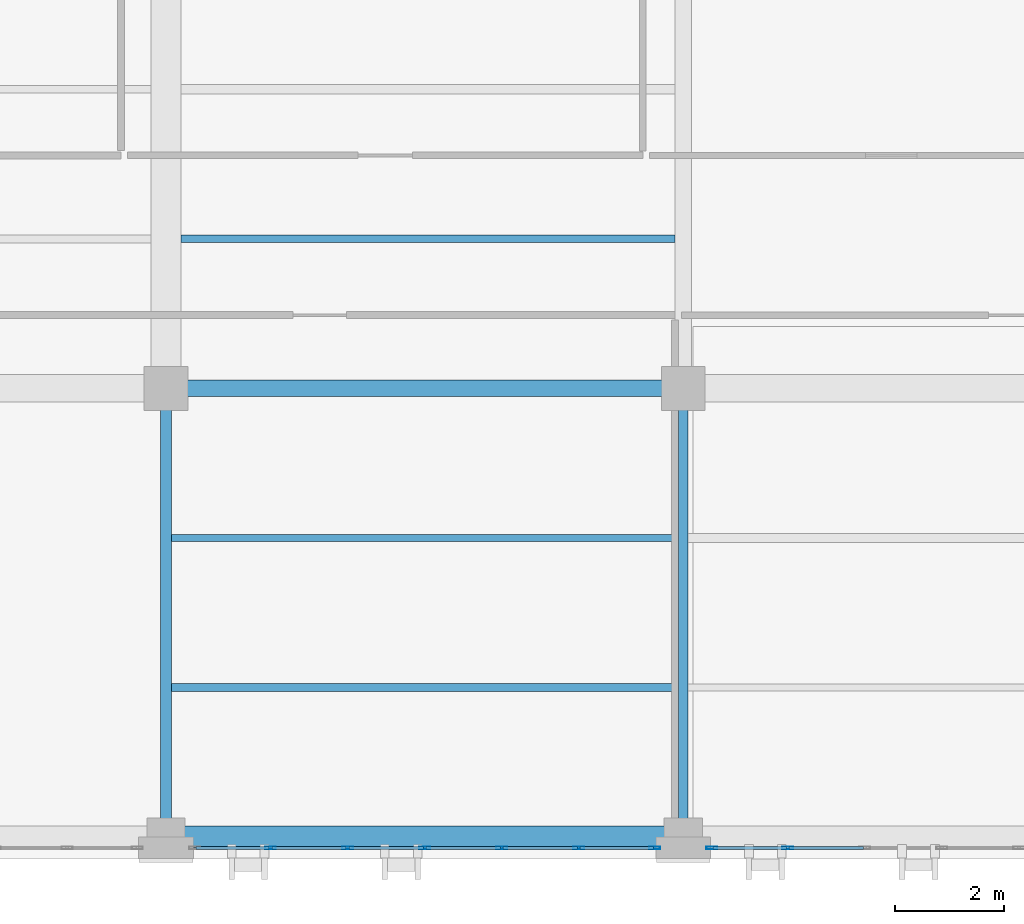
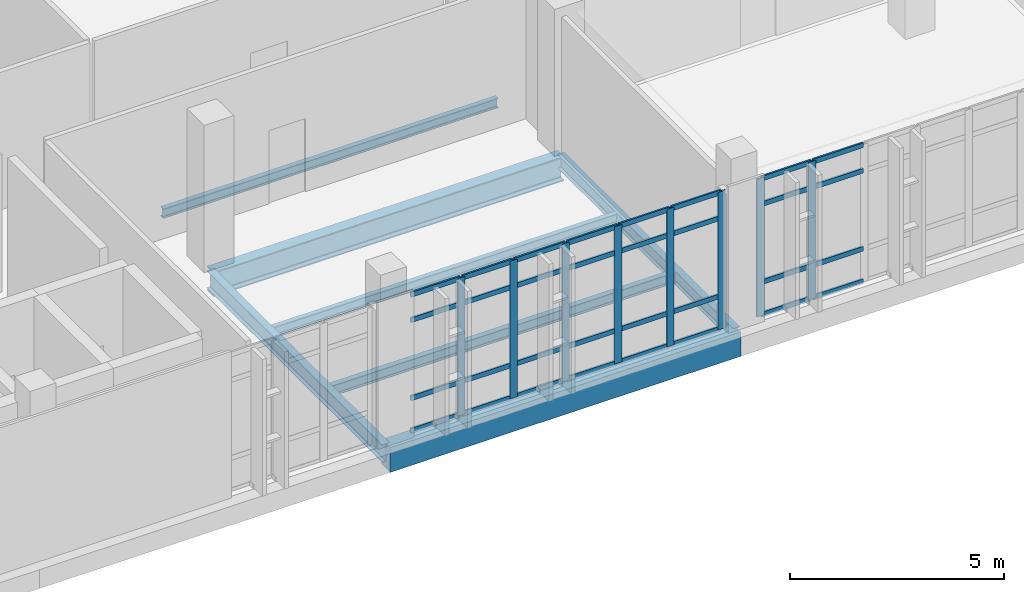
# One storey, part 20 of 158: 40 members, 7 beams, 2 elements without a shape of their own.
"""IFC4 building model written with IfcOpenShell, lengths in metres."""

from ifc_helpers import new_model, si_unit, direction, frame, origin, origin_2d, place, context, subcontext, project, spatial, rectangle, hollow_rectangle, i_section, extrude, material, layer, layer_set, material_profile, profile_set, type_object, element, aggregate, save


model = new_model("IFC4")

# Units and contexts
model_context = context("Model", 3, precision=1e-05, world=origin(), true_north=direction((0.0, 1.0)))
body_context = subcontext(model_context, "Body", "Model", "MODEL_VIEW")
ifc_project = project(units=[si_unit("LENGTHUNIT", "METRE"), si_unit("AREAUNIT", "SQUARE_METRE"), si_unit("VOLUMEUNIT", "CUBIC_METRE"), si_unit("PLANEANGLEUNIT", "RADIAN"), si_unit("MASSUNIT", "GRAM", prefix="KILO")], contexts=[model_context])

# Site, building, storey
site_placement = place(None, origin())
site = spatial("IfcSite", under=ifc_project, at=site_placement, CompositionType="ELEMENT")
building_placement = place(site_placement, origin())
building = spatial("IfcBuilding", under=site, at=building_placement, Name="Qalavern Law Courts", CompositionType="ELEMENT")
storey_placement = place(building_placement, frame((0.0, 0.0, 18.60009765625)))
storey = spatial("IfcBuildingStorey", under=building, at=storey_placement, Name="L04", CompositionType="ELEMENT", Elevation=18.60009765625)

# Curtain wall, members
ifc_material_1 = material(Name="Anodised aluminium and insulated glazing", Category="aluminium")
ifc_layer = layer(ifc_material_1, 0.18505859375)
ifc_layer_set = layer_set([ifc_layer], Name="Anodised aluminium and insulated glazing")
curtain_wall_type = type_object("IfcCurtainWallType", Name="ENV-CW-HALL", PredefinedType="USERDEFINED", material=ifc_layer_set)
curtain_wall_1_placement = place(storey_placement, origin())
curtain_wall_1 = element("IfcCurtainWall", 1, at=curtain_wall_1_placement, inside=storey, type_object=curtain_wall_type, Name="V2 unitised curtain wall L04 south 2", ObjectType="UNITISED CURTAIN WALL", PredefinedType="USERDEFINED")
ifc_material_2 = material(Name="Anodised aluminium", Category="aluminium")
ifc_material_profile_1 = material_profile(ifc_material_2, hollow_rectangle(XDim=0.048095703125, YDim=0.199951171875, WallThickness=0.00439453125, at=origin_2d()), Name="ALU MULLION 48x200")
ifc_profile_set_1 = profile_set([ifc_material_profile_1], Name="Anodised aluminium")
member_type_1 = type_object("IfcMemberType", Name="ENV-CWM-48x200", PredefinedType="MULLION", material=ifc_profile_set_1)
member_1_placement = place(storey_placement, frame((55.437744140625, 5.39990234375, 0.0), z_axis=(0.0, 0.0, 1.0), x_axis=(0.0, 1.0, 0.0)))
member_1 = element("IfcMember", 2, at=member_1_placement, type_object=member_type_1, Name="CW-02 mullion 2", PredefinedType="MULLION", context=body_context, shape_type="SweptSolid", body=[
    extrude(hollow_rectangle(XDim=0.048095703125, YDim=0.199951171875, WallThickness=0.00439453125, at=origin_2d()), origin(), (0.0, 0.0, 1.0), 3.9248046875),
])
member_2_placement = place(storey_placement, frame((56.8466796875, 5.39990234375, 0.0), z_axis=(0.0, 0.0, 1.0), x_axis=(0.0, 1.0, 0.0)))
member_2 = element("IfcMember", 3, at=member_2_placement, type_object=member_type_1, Name="CW-02 mullion 3", PredefinedType="MULLION", context=body_context, shape_type="SweptSolid", body=[
    extrude(hollow_rectangle(XDim=0.048095703125, YDim=0.199951171875, WallThickness=0.00439453125, at=origin_2d()), origin(), (0.0, 0.0, 1.0), 3.9248046875),
])
member_3_placement = place(storey_placement, frame((58.255859375, 5.39990234375, 0.0), z_axis=(0.0, 0.0, 1.0), x_axis=(0.0, 1.0, 0.0)))
member_3 = element("IfcMember", 4, at=member_3_placement, type_object=member_type_1, Name="CW-02 mullion 4", PredefinedType="MULLION", context=body_context, shape_type="SweptSolid", body=[
    extrude(hollow_rectangle(XDim=0.048095703125, YDim=0.199951171875, WallThickness=0.00439453125, at=origin_2d()), origin(), (0.0, 0.0, 1.0), 3.9248046875),
])
member_4_placement = place(storey_placement, frame((59.664794921875, 5.39990234375, 0.0), z_axis=(0.0, 0.0, 1.0), x_axis=(0.0, 1.0, 0.0)))
member_4 = element("IfcMember", 5, at=member_4_placement, type_object=member_type_1, Name="CW-02 mullion 5", PredefinedType="MULLION", context=body_context, shape_type="SweptSolid", body=[
    extrude(hollow_rectangle(XDim=0.048095703125, YDim=0.199951171875, WallThickness=0.00439453125, at=origin_2d()), origin(), (0.0, 0.0, 1.0), 3.9248046875),
])
member_5_placement = place(storey_placement, frame((61.07373046875, 5.39990234375, 0.0), z_axis=(0.0, 0.0, 1.0), x_axis=(0.0, 1.0, 0.0)))
member_5 = element("IfcMember", 6, at=member_5_placement, type_object=member_type_1, Name="CW-02 mullion 6", PredefinedType="MULLION", context=body_context, shape_type="SweptSolid", body=[
    extrude(hollow_rectangle(XDim=0.048095703125, YDim=0.199951171875, WallThickness=0.00439453125, at=origin_2d()), origin(), (0.0, 0.0, 1.0), 3.9248046875),
])
member_6_placement = place(storey_placement, frame((62.458984375, 5.39990234375, 0.0), z_axis=(0.0, 0.0, 1.0), x_axis=(0.0, 1.0, 0.0)))
member_6 = element("IfcMember", 7, at=member_6_placement, type_object=member_type_1, Name="CW-02 mullion 7", PredefinedType="MULLION", context=body_context, shape_type="SweptSolid", body=[
    extrude(hollow_rectangle(XDim=0.048095703125, YDim=0.199951171875, WallThickness=0.00439453125, at=origin_2d()), origin(), (0.0, 0.0, 1.0), 3.9248046875),
])

curtain_wall_2_placement = place(storey_placement, origin())
curtain_wall_2 = element("IfcCurtainWall", 8, at=curtain_wall_2_placement, inside=storey, type_object=curtain_wall_type, Name="V2 unitised curtain wall L04 south 3", ObjectType="UNITISED CURTAIN WALL", PredefinedType="USERDEFINED")
member_7_placement = place(storey_placement, frame((63.5068359375, 5.39990234375, 0.0), z_axis=(0.0, 0.0, 1.0), x_axis=(0.0, 1.0, 0.0)))
member_7 = element("IfcMember", 9, at=member_7_placement, type_object=member_type_1, Name="CW-02 mullion 1", PredefinedType="MULLION", context=body_context, shape_type="SweptSolid", body=[
    extrude(hollow_rectangle(XDim=0.048095703125, YDim=0.199951171875, WallThickness=0.00439453125, at=origin_2d()), origin(), (0.0, 0.0, 1.0), 3.9248046875),
])
member_8_placement = place(storey_placement, frame((64.891845703125, 5.39990234375, 0.0), z_axis=(0.0, 0.0, 1.0), x_axis=(0.0, 1.0, 0.0)))
member_8 = element("IfcMember", 10, at=member_8_placement, type_object=member_type_1, Name="CW-02 mullion 2", PredefinedType="MULLION", context=body_context, shape_type="SweptSolid", body=[
    extrude(hollow_rectangle(XDim=0.048095703125, YDim=0.199951171875, WallThickness=0.00439453125, at=origin_2d()), origin(), (0.0, 0.0, 1.0), 3.9248046875),
])

# Member
ifc_material_profile_2 = material_profile(ifc_material_2, hollow_rectangle(XDim=0.048095703125, YDim=0.139892578125, WallThickness=0.00390625, at=origin_2d()), Name="ALU TRANSOM 48x140")
ifc_profile_set_2 = profile_set([ifc_material_profile_2], Name="Anodised aluminium")
member_type_2 = type_object("IfcMemberType", Name="ENV-CWT-48x140", PredefinedType="USERDEFINED", material=ifc_profile_set_2)
member_9_placement = place(storey_placement, frame((54.07666015625, 5.39990234375, 0.02392578125), z_axis=(1.0, 0.0, 0.0), x_axis=(0.0, 1.0, 0.0)))
member_9 = element("IfcMember", 11, at=member_9_placement, type_object=member_type_2, Name="CW-02 transom 1.1", ObjectType="TRANSOM", PredefinedType="USERDEFINED", context=body_context, shape_type="SweptSolid", body=[
    extrude(hollow_rectangle(XDim=0.048095703125, YDim=0.139892578125, WallThickness=0.00390625, at=origin_2d()), origin(), (0.0, 0.0, 1.0), 1.3369140625),
])

member_10_placement = place(storey_placement, frame((54.07666015625, 5.39990234375, 0.949951171875), z_axis=(1.0, 0.0, 0.0), x_axis=(0.0, 1.0, 0.0)))
member_10 = element("IfcMember", 12, at=member_10_placement, type_object=member_type_2, Name="CW-02 transom 1.2", ObjectType="TRANSOM", PredefinedType="USERDEFINED", context=body_context, shape_type="SweptSolid", body=[
    extrude(hollow_rectangle(XDim=0.048095703125, YDim=0.139892578125, WallThickness=0.00390625, at=origin_2d()), origin(), (0.0, 0.0, 1.0), 1.3369140625),
])

member_11_placement = place(storey_placement, frame((54.07666015625, 5.39990234375, 3.1748046875), z_axis=(1.0, 0.0, 0.0), x_axis=(0.0, 1.0, 0.0)))
member_11 = element("IfcMember", 13, at=member_11_placement, type_object=member_type_2, Name="CW-02 transom 1.3", ObjectType="TRANSOM", PredefinedType="USERDEFINED", context=body_context, shape_type="SweptSolid", body=[
    extrude(hollow_rectangle(XDim=0.048095703125, YDim=0.139892578125, WallThickness=0.00390625, at=origin_2d()), origin(), (0.0, 0.0, 1.0), 1.3369140625),
])

member_12_placement = place(storey_placement, frame((54.07666015625, 5.39990234375, 3.90087890625), z_axis=(1.0, 0.0, 0.0), x_axis=(0.0, 1.0, 0.0)))
member_12 = element("IfcMember", 14, at=member_12_placement, type_object=member_type_2, Name="CW-02 transom 1.4", ObjectType="TRANSOM", PredefinedType="USERDEFINED", context=body_context, shape_type="SweptSolid", body=[
    extrude(hollow_rectangle(XDim=0.048095703125, YDim=0.139892578125, WallThickness=0.00390625, at=origin_2d()), origin(), (0.0, 0.0, 1.0), 1.3369140625),
])

member_13_placement = place(storey_placement, frame((55.461669921875, 5.39990234375, 0.02392578125), z_axis=(1.0, 0.0, 0.0), x_axis=(0.0, 1.0, 0.0)))
member_13 = element("IfcMember", 15, at=member_13_placement, type_object=member_type_2, Name="CW-02 transom 2.1", ObjectType="TRANSOM", PredefinedType="USERDEFINED", context=body_context, shape_type="SweptSolid", body=[
    extrude(hollow_rectangle(XDim=0.048095703125, YDim=0.139892578125, WallThickness=0.00390625, at=origin_2d()), origin(), (0.0, 0.0, 1.0), 1.361083984375),
])

member_14_placement = place(storey_placement, frame((55.461669921875, 5.39990234375, 0.949951171875), z_axis=(1.0, 0.0, 0.0), x_axis=(0.0, 1.0, 0.0)))
member_14 = element("IfcMember", 16, at=member_14_placement, type_object=member_type_2, Name="CW-02 transom 2.2", ObjectType="TRANSOM", PredefinedType="USERDEFINED", context=body_context, shape_type="SweptSolid", body=[
    extrude(hollow_rectangle(XDim=0.048095703125, YDim=0.139892578125, WallThickness=0.00390625, at=origin_2d()), origin(), (0.0, 0.0, 1.0), 1.361083984375),
])

member_15_placement = place(storey_placement, frame((55.461669921875, 5.39990234375, 3.1748046875), z_axis=(1.0, 0.0, 0.0), x_axis=(0.0, 1.0, 0.0)))
member_15 = element("IfcMember", 17, at=member_15_placement, type_object=member_type_2, Name="CW-02 transom 2.3", ObjectType="TRANSOM", PredefinedType="USERDEFINED", context=body_context, shape_type="SweptSolid", body=[
    extrude(hollow_rectangle(XDim=0.048095703125, YDim=0.139892578125, WallThickness=0.00390625, at=origin_2d()), origin(), (0.0, 0.0, 1.0), 1.361083984375),
])

member_16_placement = place(storey_placement, frame((55.461669921875, 5.39990234375, 3.90087890625), z_axis=(1.0, 0.0, 0.0), x_axis=(0.0, 1.0, 0.0)))
member_16 = element("IfcMember", 18, at=member_16_placement, type_object=member_type_2, Name="CW-02 transom 2.4", ObjectType="TRANSOM", PredefinedType="USERDEFINED", context=body_context, shape_type="SweptSolid", body=[
    extrude(hollow_rectangle(XDim=0.048095703125, YDim=0.139892578125, WallThickness=0.00390625, at=origin_2d()), origin(), (0.0, 0.0, 1.0), 1.361083984375),
])

member_17_placement = place(storey_placement, frame((56.87060546875, 5.39990234375, 0.02392578125), z_axis=(1.0, 0.0, 0.0), x_axis=(0.0, 1.0, 0.0)))
member_17 = element("IfcMember", 19, at=member_17_placement, type_object=member_type_2, Name="CW-02 transom 3.1", ObjectType="TRANSOM", PredefinedType="USERDEFINED", context=body_context, shape_type="SweptSolid", body=[
    extrude(hollow_rectangle(XDim=0.048095703125, YDim=0.139892578125, WallThickness=0.00390625, at=origin_2d()), origin(), (0.0, 0.0, 1.0), 1.361083984375),
])

member_18_placement = place(storey_placement, frame((56.87060546875, 5.39990234375, 0.949951171875), z_axis=(1.0, 0.0, 0.0), x_axis=(0.0, 1.0, 0.0)))
member_18 = element("IfcMember", 20, at=member_18_placement, type_object=member_type_2, Name="CW-02 transom 3.2", ObjectType="TRANSOM", PredefinedType="USERDEFINED", context=body_context, shape_type="SweptSolid", body=[
    extrude(hollow_rectangle(XDim=0.048095703125, YDim=0.139892578125, WallThickness=0.00390625, at=origin_2d()), origin(), (0.0, 0.0, 1.0), 1.361083984375),
])

member_19_placement = place(storey_placement, frame((56.87060546875, 5.39990234375, 3.1748046875), z_axis=(1.0, 0.0, 0.0), x_axis=(0.0, 1.0, 0.0)))
member_19 = element("IfcMember", 21, at=member_19_placement, type_object=member_type_2, Name="CW-02 transom 3.3", ObjectType="TRANSOM", PredefinedType="USERDEFINED", context=body_context, shape_type="SweptSolid", body=[
    extrude(hollow_rectangle(XDim=0.048095703125, YDim=0.139892578125, WallThickness=0.00390625, at=origin_2d()), origin(), (0.0, 0.0, 1.0), 1.361083984375),
])

member_20_placement = place(storey_placement, frame((56.87060546875, 5.39990234375, 3.90087890625), z_axis=(1.0, 0.0, 0.0), x_axis=(0.0, 1.0, 0.0)))
member_20 = element("IfcMember", 22, at=member_20_placement, type_object=member_type_2, Name="CW-02 transom 3.4", ObjectType="TRANSOM", PredefinedType="USERDEFINED", context=body_context, shape_type="SweptSolid", body=[
    extrude(hollow_rectangle(XDim=0.048095703125, YDim=0.139892578125, WallThickness=0.00390625, at=origin_2d()), origin(), (0.0, 0.0, 1.0), 1.361083984375),
])

member_21_placement = place(storey_placement, frame((58.27978515625, 5.39990234375, 0.02392578125), z_axis=(1.0, 0.0, 0.0), x_axis=(0.0, 1.0, 0.0)))
member_21 = element("IfcMember", 23, at=member_21_placement, type_object=member_type_2, Name="CW-02 transom 4.1", ObjectType="TRANSOM", PredefinedType="USERDEFINED", context=body_context, shape_type="SweptSolid", body=[
    extrude(hollow_rectangle(XDim=0.048095703125, YDim=0.139892578125, WallThickness=0.00390625, at=origin_2d()), origin(), (0.0, 0.0, 1.0), 1.361083984375),
])

member_22_placement = place(storey_placement, frame((58.27978515625, 5.39990234375, 0.949951171875), z_axis=(1.0, 0.0, 0.0), x_axis=(0.0, 1.0, 0.0)))
member_22 = element("IfcMember", 24, at=member_22_placement, type_object=member_type_2, Name="CW-02 transom 4.2", ObjectType="TRANSOM", PredefinedType="USERDEFINED", context=body_context, shape_type="SweptSolid", body=[
    extrude(hollow_rectangle(XDim=0.048095703125, YDim=0.139892578125, WallThickness=0.00390625, at=origin_2d()), origin(), (0.0, 0.0, 1.0), 1.361083984375),
])

member_23_placement = place(storey_placement, frame((58.27978515625, 5.39990234375, 3.1748046875), z_axis=(1.0, 0.0, 0.0), x_axis=(0.0, 1.0, 0.0)))
member_23 = element("IfcMember", 25, at=member_23_placement, type_object=member_type_2, Name="CW-02 transom 4.3", ObjectType="TRANSOM", PredefinedType="USERDEFINED", context=body_context, shape_type="SweptSolid", body=[
    extrude(hollow_rectangle(XDim=0.048095703125, YDim=0.139892578125, WallThickness=0.00390625, at=origin_2d()), origin(), (0.0, 0.0, 1.0), 1.361083984375),
])

member_24_placement = place(storey_placement, frame((58.27978515625, 5.39990234375, 3.90087890625), z_axis=(1.0, 0.0, 0.0), x_axis=(0.0, 1.0, 0.0)))
member_24 = element("IfcMember", 26, at=member_24_placement, type_object=member_type_2, Name="CW-02 transom 4.4", ObjectType="TRANSOM", PredefinedType="USERDEFINED", context=body_context, shape_type="SweptSolid", body=[
    extrude(hollow_rectangle(XDim=0.048095703125, YDim=0.139892578125, WallThickness=0.00390625, at=origin_2d()), origin(), (0.0, 0.0, 1.0), 1.361083984375),
])

member_25_placement = place(storey_placement, frame((59.688720703125, 5.39990234375, 0.02392578125), z_axis=(1.0, 0.0, 0.0), x_axis=(0.0, 1.0, 0.0)))
member_25 = element("IfcMember", 27, at=member_25_placement, type_object=member_type_2, Name="CW-02 transom 5.1", ObjectType="TRANSOM", PredefinedType="USERDEFINED", context=body_context, shape_type="SweptSolid", body=[
    extrude(hollow_rectangle(XDim=0.048095703125, YDim=0.139892578125, WallThickness=0.00390625, at=origin_2d()), origin(), (0.0, 0.0, 1.0), 1.361083984375),
])

member_26_placement = place(storey_placement, frame((59.688720703125, 5.39990234375, 0.949951171875), z_axis=(1.0, 0.0, 0.0), x_axis=(0.0, 1.0, 0.0)))
member_26 = element("IfcMember", 28, at=member_26_placement, type_object=member_type_2, Name="CW-02 transom 5.2", ObjectType="TRANSOM", PredefinedType="USERDEFINED", context=body_context, shape_type="SweptSolid", body=[
    extrude(hollow_rectangle(XDim=0.048095703125, YDim=0.139892578125, WallThickness=0.00390625, at=origin_2d()), origin(), (0.0, 0.0, 1.0), 1.361083984375),
])

member_27_placement = place(storey_placement, frame((59.688720703125, 5.39990234375, 3.1748046875), z_axis=(1.0, 0.0, 0.0), x_axis=(0.0, 1.0, 0.0)))
member_27 = element("IfcMember", 29, at=member_27_placement, type_object=member_type_2, Name="CW-02 transom 5.3", ObjectType="TRANSOM", PredefinedType="USERDEFINED", context=body_context, shape_type="SweptSolid", body=[
    extrude(hollow_rectangle(XDim=0.048095703125, YDim=0.139892578125, WallThickness=0.00390625, at=origin_2d()), origin(), (0.0, 0.0, 1.0), 1.361083984375),
])

member_28_placement = place(storey_placement, frame((59.688720703125, 5.39990234375, 3.90087890625), z_axis=(1.0, 0.0, 0.0), x_axis=(0.0, 1.0, 0.0)))
member_28 = element("IfcMember", 30, at=member_28_placement, type_object=member_type_2, Name="CW-02 transom 5.4", ObjectType="TRANSOM", PredefinedType="USERDEFINED", context=body_context, shape_type="SweptSolid", body=[
    extrude(hollow_rectangle(XDim=0.048095703125, YDim=0.139892578125, WallThickness=0.00390625, at=origin_2d()), origin(), (0.0, 0.0, 1.0), 1.361083984375),
])

member_29_placement = place(storey_placement, frame((61.097900390625, 5.39990234375, 0.02392578125), z_axis=(1.0, 0.0, 0.0), x_axis=(0.0, 1.0, 0.0)))
member_29 = element("IfcMember", 31, at=member_29_placement, type_object=member_type_2, Name="CW-02 transom 6.1", ObjectType="TRANSOM", PredefinedType="USERDEFINED", context=body_context, shape_type="SweptSolid", body=[
    extrude(hollow_rectangle(XDim=0.048095703125, YDim=0.139892578125, WallThickness=0.00390625, at=origin_2d()), origin(), (0.0, 0.0, 1.0), 1.3369140625),
])

member_30_placement = place(storey_placement, frame((61.097900390625, 5.39990234375, 0.949951171875), z_axis=(1.0, 0.0, 0.0), x_axis=(0.0, 1.0, 0.0)))
member_30 = element("IfcMember", 32, at=member_30_placement, type_object=member_type_2, Name="CW-02 transom 6.2", ObjectType="TRANSOM", PredefinedType="USERDEFINED", context=body_context, shape_type="SweptSolid", body=[
    extrude(hollow_rectangle(XDim=0.048095703125, YDim=0.139892578125, WallThickness=0.00390625, at=origin_2d()), origin(), (0.0, 0.0, 1.0), 1.3369140625),
])

member_31_placement = place(storey_placement, frame((61.097900390625, 5.39990234375, 3.1748046875), z_axis=(1.0, 0.0, 0.0), x_axis=(0.0, 1.0, 0.0)))
member_31 = element("IfcMember", 33, at=member_31_placement, type_object=member_type_2, Name="CW-02 transom 6.3", ObjectType="TRANSOM", PredefinedType="USERDEFINED", context=body_context, shape_type="SweptSolid", body=[
    extrude(hollow_rectangle(XDim=0.048095703125, YDim=0.139892578125, WallThickness=0.00390625, at=origin_2d()), origin(), (0.0, 0.0, 1.0), 1.3369140625),
])

member_32_placement = place(storey_placement, frame((61.097900390625, 5.39990234375, 3.90087890625), z_axis=(1.0, 0.0, 0.0), x_axis=(0.0, 1.0, 0.0)))
member_32 = element("IfcMember", 34, at=member_32_placement, type_object=member_type_2, Name="CW-02 transom 6.4", ObjectType="TRANSOM", PredefinedType="USERDEFINED", context=body_context, shape_type="SweptSolid", body=[
    extrude(hollow_rectangle(XDim=0.048095703125, YDim=0.139892578125, WallThickness=0.00390625, at=origin_2d()), origin(), (0.0, 0.0, 1.0), 1.3369140625),
])

aggregate(curtain_wall_1, [member_1, member_2, member_3, member_4, member_5, member_6, member_9, member_10, member_11, member_12, member_13, member_14, member_15, member_16, member_17, member_18, member_19, member_20, member_21, member_22, member_23, member_24, member_25, member_26, member_27, member_28, member_29, member_30, member_31, member_32])

member_33_placement = place(storey_placement, frame((63.531005859375, 5.39990234375, 0.02392578125), z_axis=(1.0, 0.0, 0.0), x_axis=(0.0, 1.0, 0.0)))
member_33 = element("IfcMember", 35, at=member_33_placement, type_object=member_type_2, Name="CW-02 transom 1.1", ObjectType="TRANSOM", PredefinedType="USERDEFINED", context=body_context, shape_type="SweptSolid", body=[
    extrude(hollow_rectangle(XDim=0.048095703125, YDim=0.139892578125, WallThickness=0.00390625, at=origin_2d()), origin(), (0.0, 0.0, 1.0), 1.3369140625),
])

member_34_placement = place(storey_placement, frame((63.531005859375, 5.39990234375, 0.949951171875), z_axis=(1.0, 0.0, 0.0), x_axis=(0.0, 1.0, 0.0)))
member_34 = element("IfcMember", 36, at=member_34_placement, type_object=member_type_2, Name="CW-02 transom 1.2", ObjectType="TRANSOM", PredefinedType="USERDEFINED", context=body_context, shape_type="SweptSolid", body=[
    extrude(hollow_rectangle(XDim=0.048095703125, YDim=0.139892578125, WallThickness=0.00390625, at=origin_2d()), origin(), (0.0, 0.0, 1.0), 1.3369140625),
])

member_35_placement = place(storey_placement, frame((63.531005859375, 5.39990234375, 3.1748046875), z_axis=(1.0, 0.0, 0.0), x_axis=(0.0, 1.0, 0.0)))
member_35 = element("IfcMember", 37, at=member_35_placement, type_object=member_type_2, Name="CW-02 transom 1.3", ObjectType="TRANSOM", PredefinedType="USERDEFINED", context=body_context, shape_type="SweptSolid", body=[
    extrude(hollow_rectangle(XDim=0.048095703125, YDim=0.139892578125, WallThickness=0.00390625, at=origin_2d()), origin(), (0.0, 0.0, 1.0), 1.3369140625),
])

member_36_placement = place(storey_placement, frame((63.531005859375, 5.39990234375, 3.90087890625), z_axis=(1.0, 0.0, 0.0), x_axis=(0.0, 1.0, 0.0)))
member_36 = element("IfcMember", 38, at=member_36_placement, type_object=member_type_2, Name="CW-02 transom 1.4", ObjectType="TRANSOM", PredefinedType="USERDEFINED", context=body_context, shape_type="SweptSolid", body=[
    extrude(hollow_rectangle(XDim=0.048095703125, YDim=0.139892578125, WallThickness=0.00390625, at=origin_2d()), origin(), (0.0, 0.0, 1.0), 1.3369140625),
])

member_37_placement = place(storey_placement, frame((64.916015625, 5.39990234375, 0.02392578125), z_axis=(1.0, 0.0, 0.0), x_axis=(0.0, 1.0, 0.0)))
member_37 = element("IfcMember", 39, at=member_37_placement, type_object=member_type_2, Name="CW-02 transom 2.1", ObjectType="TRANSOM", PredefinedType="USERDEFINED", context=body_context, shape_type="SweptSolid", body=[
    extrude(hollow_rectangle(XDim=0.048095703125, YDim=0.139892578125, WallThickness=0.00390625, at=origin_2d()), origin(), (0.0, 0.0, 1.0), 1.36083984375),
])

member_38_placement = place(storey_placement, frame((64.916015625, 5.39990234375, 0.949951171875), z_axis=(1.0, 0.0, 0.0), x_axis=(0.0, 1.0, 0.0)))
member_38 = element("IfcMember", 40, at=member_38_placement, type_object=member_type_2, Name="CW-02 transom 2.2", ObjectType="TRANSOM", PredefinedType="USERDEFINED", context=body_context, shape_type="SweptSolid", body=[
    extrude(hollow_rectangle(XDim=0.048095703125, YDim=0.139892578125, WallThickness=0.00390625, at=origin_2d()), origin(), (0.0, 0.0, 1.0), 1.36083984375),
])

member_39_placement = place(storey_placement, frame((64.916015625, 5.39990234375, 3.1748046875), z_axis=(1.0, 0.0, 0.0), x_axis=(0.0, 1.0, 0.0)))
member_39 = element("IfcMember", 41, at=member_39_placement, type_object=member_type_2, Name="CW-02 transom 2.3", ObjectType="TRANSOM", PredefinedType="USERDEFINED", context=body_context, shape_type="SweptSolid", body=[
    extrude(hollow_rectangle(XDim=0.048095703125, YDim=0.139892578125, WallThickness=0.00390625, at=origin_2d()), origin(), (0.0, 0.0, 1.0), 1.36083984375),
])

member_40_placement = place(storey_placement, frame((64.916015625, 5.39990234375, 3.90087890625), z_axis=(1.0, 0.0, 0.0), x_axis=(0.0, 1.0, 0.0)))
member_40 = element("IfcMember", 42, at=member_40_placement, type_object=member_type_2, Name="CW-02 transom 2.4", ObjectType="TRANSOM", PredefinedType="USERDEFINED", context=body_context, shape_type="SweptSolid", body=[
    extrude(hollow_rectangle(XDim=0.048095703125, YDim=0.139892578125, WallThickness=0.00390625, at=origin_2d()), origin(), (0.0, 0.0, 1.0), 1.36083984375),
])

aggregate(curtain_wall_2, [member_7, member_8, member_33, member_34, member_35, member_36, member_37, member_38, member_39, member_40])

# Beams
ifc_material_3 = material(Name="Steel S355", Category="steel")
ifc_material_profile_3 = material_profile(ifc_material_3, i_section(OverallWidth=0.300048828125, OverallDepth=0.699951171875, WebThickness=0.01708984375, FlangeThickness=0.031982421875, FilletRadius=0.027099609375, at=origin_2d()), Name="HEB 700")
ifc_profile_set_3 = profile_set([ifc_material_profile_3], Name="Steel S355")
beam_type_1 = type_object("IfcBeamType", Name="STR-BM-HEB700", PredefinedType="BEAM", material=ifc_profile_set_3)
beam_1_placement = place(storey_placement, frame((53.528564453125, 13.800048828125, -0.630126953125), z_axis=(1.0, 0.0, 0.0), x_axis=(0.0, 1.0, 0.0)))
element("IfcBeam", 43, at=beam_1_placement, inside=storey, type_object=beam_type_1, Name="V2 X-beam 2-3 L04", PredefinedType="BEAM", context=body_context, shape_type="SweptSolid", body=[
    extrude(i_section(OverallWidth=0.300048828125, OverallDepth=0.699951171875, WebThickness=0.01708984375, FlangeThickness=0.031982421875, FilletRadius=0.027099609375, at=origin_2d()), origin(), (0.0, 0.0, 1.0), 9.454345703125),
])
ifc_material_profile_4 = material_profile(ifc_material_3, i_section(OverallWidth=0.179931640625, OverallDepth=0.39990234375, WebThickness=0.008544921875, FlangeThickness=0.013427734375, FilletRadius=0.02099609375, at=origin_2d()), Name="IPE 400")
ifc_profile_set_4 = profile_set([ifc_material_profile_4], Name="Steel S355")
beam_type_2 = type_object("IfcBeamType", Name="STR-BM-IPE400", PredefinedType="BEAM", material=ifc_profile_set_4)
beam_2_placement = place(storey_placement, frame((62.98291015625, 5.60009765625, -0.47998046875), z_axis=(0.0, 1.0, 0.0), x_axis=(-1.0, 0.0, 0.0)))
element("IfcBeam", 44, at=beam_2_placement, inside=storey, type_object=beam_type_2, Name="V2 Y-beam 4-1 L04", PredefinedType="BEAM", context=body_context, shape_type="SweptSolid", body=[
    extrude(i_section(OverallWidth=0.179931640625, OverallDepth=0.39990234375, WebThickness=0.008544921875, FlangeThickness=0.013427734375, FilletRadius=0.02099609375, at=origin_2d()), origin(), (0.0, 0.0, 1.0), 8.199951171875),
])
ifc_material_profile_5 = material_profile(ifc_material_3, i_section(OverallWidth=0.199951171875, OverallDepth=0.5, WebThickness=0.01025390625, FlangeThickness=0.01611328125, FilletRadius=0.02099609375, at=origin_2d()), Name="IPE 500")
ifc_profile_set_5 = profile_set([ifc_material_profile_5], Name="Steel S355")
beam_type_3 = type_object("IfcBeamType", Name="STR-BM-IPE500", PredefinedType="BEAM", material=ifc_profile_set_5)
beam_3_placement = place(storey_placement, frame((53.528564453125, 5.60009765625, -0.530029296875), z_axis=(0.0, 1.0, 0.0), x_axis=(-1.0, 0.0, 0.0)))
element("IfcBeam", 45, at=beam_3_placement, inside=storey, type_object=beam_type_3, Name="V2 Y-beam 3-1 L04", PredefinedType="BEAM", context=body_context, shape_type="SweptSolid", body=[
    extrude(i_section(OverallWidth=0.199951171875, OverallDepth=0.5, WebThickness=0.01025390625, FlangeThickness=0.01611328125, FilletRadius=0.02099609375, at=origin_2d()), origin(), (0.0, 0.0, 1.0), 8.199951171875),
])
ifc_material_profile_6 = material_profile(ifc_material_3, i_section(OverallWidth=0.135009765625, OverallDepth=0.27001953125, WebThickness=0.006591796875, FlangeThickness=0.01025390625, FilletRadius=0.014892578125, at=origin_2d()), Name="IPE 270")
ifc_profile_set_6 = profile_set([ifc_material_profile_6], Name="Steel S355")
beam_type_4 = type_object("IfcBeamType", Name="STR-JST-IPE270", PredefinedType="JOIST", material=ifc_profile_set_6)
beam_4_placement = place(storey_placement, frame((53.626708984375, 11.066650390625, -0.4150390625), z_axis=(1.0, 0.0, 0.0), x_axis=(0.0, 1.0, 0.0)))
element("IfcBeam", 46, at=beam_4_placement, inside=storey, type_object=beam_type_4, Name="V2 secondary joist 3.1.2 L04", PredefinedType="JOIST", context=body_context, shape_type="SweptSolid", body=[
    extrude(i_section(OverallWidth=0.135009765625, OverallDepth=0.27001953125, WebThickness=0.006591796875, FlangeThickness=0.01025390625, FilletRadius=0.014892578125, at=origin_2d()), origin(), (0.0, 0.0, 1.0), 9.268310546875),
])
beam_5_placement = place(storey_placement, frame((53.801513671875, 16.533203125, -0.4150390625), z_axis=(1.0, 0.0, 0.0), x_axis=(0.0, 1.0, 0.0)))
element("IfcBeam", 47, at=beam_5_placement, inside=storey, type_object=beam_type_4, Name="V2 secondary joist 3.2.1 L04", PredefinedType="JOIST", context=body_context, shape_type="SweptSolid", body=[
    extrude(i_section(OverallWidth=0.135009765625, OverallDepth=0.27001953125, WebThickness=0.006591796875, FlangeThickness=0.01025390625, FilletRadius=0.014892578125, at=origin_2d()), origin(), (0.0, 0.0, 1.0), 9.033447265625),
])
ifc_material_profile_7 = material_profile(ifc_material_3, i_section(OverallWidth=0.14990234375, OverallDepth=0.300048828125, WebThickness=0.007080078125, FlangeThickness=0.0107421875, FilletRadius=0.014892578125, at=origin_2d()), Name="IPE 300")
ifc_profile_set_7 = profile_set([ifc_material_profile_7], Name="Steel S355")
beam_type_5 = type_object("IfcBeamType", Name="STR-JST-IPE300", PredefinedType="JOIST", material=ifc_profile_set_7)
beam_6_placement = place(storey_placement, frame((53.626708984375, 8.333251953125, -0.43017578125), z_axis=(1.0, 0.0, 0.0), x_axis=(0.0, 1.0, 0.0)))
element("IfcBeam", 48, at=beam_6_placement, inside=storey, type_object=beam_type_5, Name="V2 secondary joist 3.1.1 L04", PredefinedType="JOIST", context=body_context, shape_type="SweptSolid", body=[
    extrude(i_section(OverallWidth=0.14990234375, OverallDepth=0.300048828125, WebThickness=0.007080078125, FlangeThickness=0.0107421875, FilletRadius=0.014892578125, at=origin_2d()), origin(), (0.0, 0.0, 1.0), 9.268310546875),
])
ifc_material_4 = material(Name="Concrete C40/50", Category="concrete")
ifc_material_profile_8 = material_profile(ifc_material_4, rectangle(XDim=0.39990234375, YDim=0.699951171875, at=origin_2d()), Name="RC 400x700")
ifc_profile_set_8 = profile_set([ifc_material_profile_8], Name="Concrete C40/50")
beam_type_6 = type_object("IfcBeamType", Name="STR-SP-RC400x700", PredefinedType="SPANDREL", material=ifc_profile_set_8)
beam_7_placement = place(storey_placement, frame((53.528564453125, 5.60009765625, -0.630126953125), z_axis=(1.0, 0.0, 0.0), x_axis=(0.0, 1.0, 0.0)))
element("IfcBeam", 49, at=beam_7_placement, inside=storey, type_object=beam_type_6, Name="V2 X-beam 1-3 L04", PredefinedType="SPANDREL", context=body_context, shape_type="SweptSolid", body=[
    extrude(rectangle(XDim=0.39990234375, YDim=0.699951171875, at=origin_2d()), origin(), (0.0, 0.0, 1.0), 9.454345703125),
])

save(model, "model.ifc")
